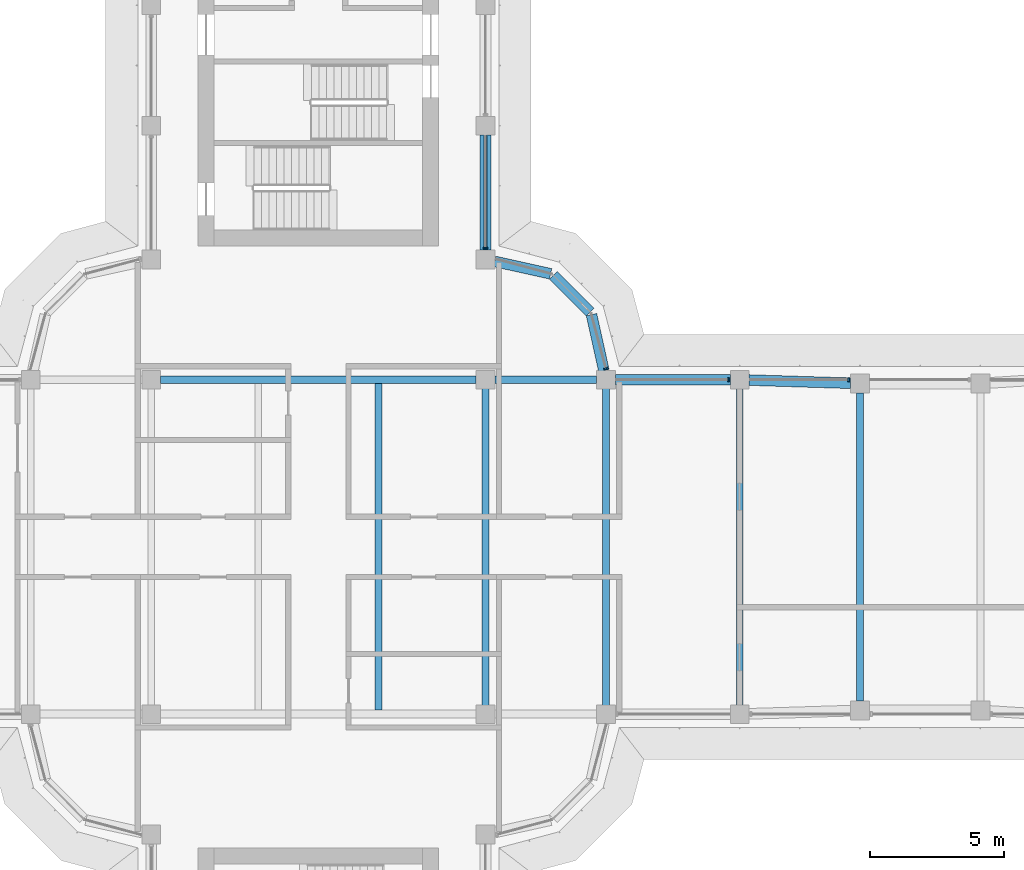
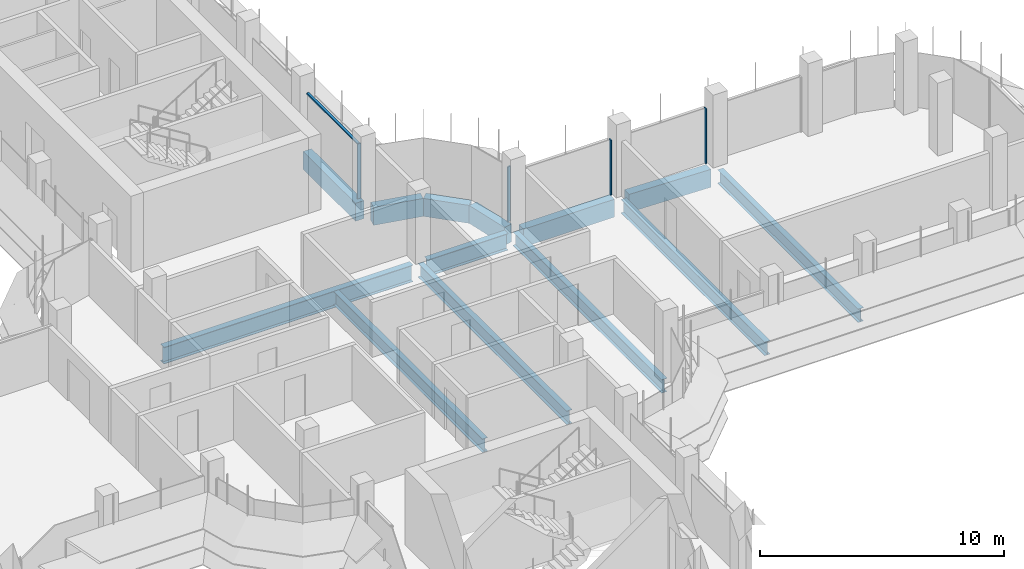
# One storey, part 8 of 19: 13 beams, 5 members, 3 elements without a shape of their own.
"""IFC4 building model written with IfcOpenShell, lengths in metres."""

from ifc_helpers import new_model, si_unit, direction, frame, origin, origin_2d, place, context, subcontext, project, spatial, polyline, rectangle, i_section, outline, extrude, source, transform, mapped, material, material_profile, profile_set, type_object, element, aggregate, save


model = new_model("IFC4")

# Units and contexts
model_context = context("Model", 3, precision=1e-05, world=origin(), true_north=direction((0.0, 1.0)))
body_context = subcontext(model_context, "Body", "Model", "MODEL_VIEW")
ifc_project = project(units=[si_unit("LENGTHUNIT", "METRE"), si_unit("AREAUNIT", "SQUARE_METRE"), si_unit("VOLUMEUNIT", "CUBIC_METRE"), si_unit("PLANEANGLEUNIT", "RADIAN"), si_unit("MASSUNIT", "GRAM", prefix="KILO")], contexts=[model_context])

# Site, building, storey
site_placement = place(None, origin())
site = spatial("IfcSite", under=ifc_project, at=site_placement, CompositionType="ELEMENT")
building_placement = place(site_placement, origin())
building = spatial("IfcBuilding", under=site, at=building_placement, Name="Zarbagh Exchange Tower", CompositionType="ELEMENT")
storey_placement = place(building_placement, frame((0.0, 0.0, 225.800048828125)))
storey = spatial("IfcBuildingStorey", under=building, at=storey_placement, Name="L55", CompositionType="ELEMENT", Elevation=225.800048828125)

# Beams
ifc_material_1 = material(Name="Steel ASTM A992 Gr 50", Category="steel")
ifc_material_profile_1 = material_profile(ifc_material_1, i_section(OverallWidth=0.25390625, OverallDepth=0.67822265625, WebThickness=0.01171875, FlangeThickness=0.016357421875, at=origin_2d()), Name="W27X84")
ifc_profile_set_1 = profile_set([ifc_material_profile_1], Name="Steel ASTM A992 Gr 50")
beam_type_1 = type_object("IfcBeamType", Name="Floor beam W27X84", PredefinedType="BEAM", material=ifc_profile_set_1)
for number, where, z_axis, x_axis, name in (
    (1, (2.25, -6.10400390625, -0.4892578125), (0.0, 1.0, 0.0), (-1.0, 0.0, 0.0), "Steel floor beam"),
    (2, (6.25, -6.10400390625, -0.4892578125), (0.0, 1.0, 0.0), (-1.0, 0.0, 0.0), "Steel floor beam"),
    (3, (10.75, -6.10400390625, -0.4892578125), (0.0, 1.0, 0.0), (-1.0, 0.0, 0.0), "Steel floor beam"),
):
    element("IfcBeam", number, at=place(storey_placement, frame(where, z_axis=z_axis, x_axis=x_axis)), inside=storey, type_object=beam_type_1, Name=name, PredefinedType="BEAM", context=body_context, shape_type="SweptSolid", body=[
        extrude(i_section(OverallWidth=0.25390625, OverallDepth=0.67822265625, WebThickness=0.01171875, FlangeThickness=0.016357421875, at=origin_2d()), origin(), (0.0, 0.0, 1.0), 12.2080078125),
    ])
beam_1_placement = place(storey_placement, frame((15.75, -5.89990234375, -0.4892578125), z_axis=(0.0, 1.0, 0.0), x_axis=(-1.0, 0.0, 0.0)))
element("IfcBeam", 4, at=beam_1_placement, inside=storey, type_object=beam_type_1, Name="Steel floor beam", PredefinedType="BEAM", context=body_context, shape_type="SweptSolid", body=[
    extrude(i_section(OverallWidth=0.25390625, OverallDepth=0.67822265625, WebThickness=0.01171875, FlangeThickness=0.016357421875, at=origin_2d()), origin(), (0.0, 0.0, 1.0), 11.7998046875),
])
beam_2_placement = place(storey_placement, frame((20.25, -5.760009765625, -0.4892578125), z_axis=(0.0, 1.0, 0.0), x_axis=(-1.0, 0.0, 0.0)))
element("IfcBeam", 5, at=beam_2_placement, inside=storey, type_object=beam_type_1, Name="Steel floor beam", PredefinedType="BEAM", context=body_context, shape_type="SweptSolid", body=[
    extrude(i_section(OverallWidth=0.25390625, OverallDepth=0.67822265625, WebThickness=0.01171875, FlangeThickness=0.016357421875, at=origin_2d()), origin(), (0.0, 0.0, 1.0), 11.52001953125),
])
ifc_material_profile_2 = material_profile(ifc_material_1, i_section(OverallWidth=0.2919921875, OverallDepth=0.835693359375, WebThickness=0.013916015625, FlangeThickness=0.018798828125, at=origin_2d()), Name="W33X118")
ifc_profile_set_2 = profile_set([ifc_material_profile_2], Name="Steel ASTM A992 Gr 50")
beam_type_2 = type_object("IfcBeamType", Name="Floor girder W33X118", PredefinedType="BEAM", material=ifc_profile_set_2)
beam_3_placement = place(storey_placement, frame((-5.89990234375, 6.25, -0.56787109375), z_axis=(1.0, 0.0, 0.0), x_axis=(0.0, 1.0, 0.0)))
element("IfcBeam", 6, at=beam_3_placement, inside=storey, type_object=beam_type_2, Name="Steel girder", PredefinedType="BEAM", context=body_context, shape_type="SweptSolid", body=[
    extrude(i_section(OverallWidth=0.2919921875, OverallDepth=0.835693359375, WebThickness=0.013916015625, FlangeThickness=0.018798828125, at=origin_2d()), origin(), (0.0, 0.0, 1.0), 11.7998046875),
])
beam_4_placement = place(storey_placement, frame((6.60009765625, 6.25, -0.56787109375), z_axis=(1.0, 0.0, 0.0), x_axis=(0.0, 1.0, 0.0)))
element("IfcBeam", 7, at=beam_4_placement, inside=storey, type_object=beam_type_2, Name="Steel girder", PredefinedType="BEAM", context=body_context, shape_type="SweptSolid", body=[
    extrude(i_section(OverallWidth=0.2919921875, OverallDepth=0.835693359375, WebThickness=0.013916015625, FlangeThickness=0.018798828125, at=origin_2d()), origin(), (0.0, 0.0, 1.0), 3.7998046875),
])
ifc_material_2 = material(Name="Concrete C50/60", Category="concrete")
ifc_material_profile_3 = material_profile(ifc_material_2, rectangle(XDim=0.39990234375, YDim=0.89990234375, at=origin_2d()), Name="RC spandrel beam 400 x 900 C50/60")
ifc_profile_set_3 = profile_set([ifc_material_profile_3], Name="Concrete C50/60")
beam_type_3 = type_object("IfcBeamType", Name="RC spandrel beam 400 x 900 C50/60", PredefinedType="SPANDREL", material=ifc_profile_set_3)
beam_5_placement = place(storey_placement, frame((6.25, 15.39990234375, -0.60009765625), z_axis=(0.0, -1.0, 0.0), x_axis=(1.0, 0.0, 0.0)))
element("IfcBeam", 8, at=beam_5_placement, inside=storey, type_object=beam_type_3, Name="RC spandrel beam", PredefinedType="SPANDREL", context=body_context, shape_type="SweptSolid", body=[
    extrude(rectangle(XDim=0.39990234375, YDim=0.89990234375, at=origin_2d()), origin(), (0.0, 0.0, 1.0), 4.2998046875),
])
beam_6_placement = place(storey_placement, frame((6.591796875, 10.67431640625, -0.60009765625), z_axis=(0.97639036545, -0.216013551096, 0.0), x_axis=(0.216013551096, 0.97639036545, 0.0)))
element("IfcBeam", 9, at=beam_6_placement, inside=storey, type_object=beam_type_3, Name="RC spandrel beam", PredefinedType="SPANDREL", context=body_context, shape_type="SweptSolid", body=[
    extrude(rectangle(XDim=0.39990234375, YDim=0.89990234375, at=origin_2d()), origin(), (0.0, 0.0, 1.0), 2.142822265625),
])
beam_7_placement = place(storey_placement, frame((8.782470703125, 10.15771484375, -0.60009765625), z_axis=(0.707106781187, -0.707106781187, 0.0), x_axis=(0.707106781187, 0.707106781187, 0.0)))
element("IfcBeam", 10, at=beam_7_placement, inside=storey, type_object=beam_type_3, Name="RC spandrel beam", PredefinedType="SPANDREL", context=body_context, shape_type="SweptSolid", body=[
    extrude(rectangle(XDim=0.39990234375, YDim=0.89990234375, at=origin_2d()), origin(), (0.0, 0.0, 1.0), 1.94482421875),
])
beam_8_placement = place(storey_placement, frame((10.21142578125, 8.68408203125, -0.60009765625), z_axis=(0.216013551096, -0.97639036545, 0.0), x_axis=(0.97639036545, 0.216013551096, 0.0)))
element("IfcBeam", 11, at=beam_8_placement, inside=storey, type_object=beam_type_3, Name="RC spandrel beam", PredefinedType="SPANDREL", context=body_context, shape_type="SweptSolid", body=[
    extrude(rectangle(XDim=0.39990234375, YDim=0.89990234375, at=origin_2d()), origin(), (0.0, 0.0, 1.0), 2.142822265625),
])
beam_9_placement = place(storey_placement, frame((11.10009765625, 6.25, -0.60009765625), z_axis=(1.0, 0.0, 0.0), x_axis=(0.0, 1.0, 0.0)))
element("IfcBeam", 12, at=beam_9_placement, inside=storey, type_object=beam_type_3, Name="RC spandrel beam", PredefinedType="SPANDREL", context=body_context, shape_type="SweptSolid", body=[
    extrude(rectangle(XDim=0.39990234375, YDim=0.89990234375, at=origin_2d()), origin(), (0.0, 0.0, 1.0), 4.2998046875),
])
beam_10_placement = place(storey_placement, frame((16.099853515625, 6.239013671875, -0.60009765625), z_axis=(0.999516950199, -0.031078389046, 0.0), x_axis=(0.031078389046, 0.999516950199, 0.0)))
element("IfcBeam", 13, at=beam_10_placement, inside=storey, type_object=beam_type_3, Name="RC spandrel beam", PredefinedType="SPANDREL", context=body_context, shape_type="SweptSolid", body=[
    extrude(rectangle(XDim=0.39990234375, YDim=0.89990234375, at=origin_2d()), origin(), (0.0, 0.0, 1.0), 3.80224609375),
])

# Curtain wall, members
ifc_material_3 = material(Name="Anodised aluminium frame and glazing", Category="aluminium")
curtain_wall_type = type_object("IfcCurtainWallType", Name="CWB Ribbon glazing, upper zones", PredefinedType="NOTDEFINED", material=ifc_material_3)
curtain_wall_1_placement = place(storey_placement, origin())
curtain_wall_1 = element("IfcCurtainWall", 14, at=curtain_wall_1_placement, inside=storey, type_object=curtain_wall_type, Name="CWB16 curtain wall", PredefinedType="NOTDEFINED")
ifc_material_4 = material(Name="Anodised aluminium frame", Category="aluminium")
member_type_1 = type_object("IfcMemberType", Name="MUB Mullion, anodised aluminium frame", PredefinedType="MULLION", material=ifc_material_4)
shared_shape_1 = source(origin(), body_context, "Body", "SweptSolid", [
    extrude(outline(polyline([(0.0, -0.080078125), (0.06005859375, -0.080078125), (0.06005859375, 0.080078125), (0.0, 0.080078125), (0.0, -0.080078125)])), origin(), (0.0, 0.0, 1.0), 2.75),
])
placement = place(storey_placement, origin())
member_1 = element("IfcMember", 15, at=placement, type_object=member_type_1, Name="CWB16 mullion 3.1", PredefinedType="MULLION", context=body_context, shape_type="MappedRepresentation", body=[
    mapped(shared_shape_1, transform((19.85986328125, 6.25, 0.0), x_axis=(-1.0, 0.0, 0.0), y_axis=(0.0, -1.0, 0.0), z_axis=(0.0, 0.0, 1.0))),
])
member_2 = element("IfcMember", 16, at=placement, type_object=member_type_1, Name="CWB16 mullion 4.1", PredefinedType="MULLION", context=body_context, shape_type="MappedRepresentation", body=[
    mapped(shared_shape_1, transform((15.35986328125, 6.25, 0.0), x_axis=(-1.0, 0.0, 0.0), y_axis=(0.0, -1.0, 0.0), z_axis=(0.0, 0.0, 1.0))),
])
aggregate(curtain_wall_1, [member_1, member_2])

# Curtain wall, member
curtain_wall_2_placement = place(storey_placement, origin())
curtain_wall_2 = element("IfcCurtainWall", 17, at=curtain_wall_2_placement, inside=storey, type_object=curtain_wall_type, Name="CWB17 curtain wall", PredefinedType="NOTDEFINED")
member_3 = element("IfcMember", 18, at=placement, type_object=member_type_1, Name="CWB17 mullion 1.1", PredefinedType="MULLION", context=body_context, shape_type="MappedRepresentation", body=[
    mapped(shared_shape_1, transform((10.76171875, 6.64013671875, 0.0), x_axis=(-0.258824779902, 0.965924289636, 0.0), y_axis=(-0.965924289636, -0.258824779902, 0.0), z_axis=(0.0, 0.0, 1.0))),
])
aggregate(curtain_wall_2, [member_3])

# Curtain wall, members
curtain_wall_3_placement = place(storey_placement, origin())
curtain_wall_3 = element("IfcCurtainWall", 19, at=curtain_wall_3_placement, inside=storey, type_object=curtain_wall_type, Name="CWB67 curtain wall", PredefinedType="NOTDEFINED")
member_4 = element("IfcMember", 20, at=placement, type_object=member_type_1, Name="CWB67 mullion 1.1", PredefinedType="MULLION", context=body_context, shape_type="MappedRepresentation", body=[
    mapped(shared_shape_1, transform((6.25, 11.14013671875, 0.0), x_axis=(0.0, 1.0, 0.0), y_axis=(-1.0, 0.0, 0.0), z_axis=(0.0, 0.0, 1.0))),
])
member_type_2 = type_object("IfcMemberType", Name="TRB Transom, anodised aluminium frame", PredefinedType="USERDEFINED", material=ifc_material_4)
shared_shape_2 = source(origin(), body_context, "Body", "SweptSolid", [
    extrude(outline(polyline([(-0.06005859375, -0.06005859375), (0.0, -0.06005859375), (0.0, 0.06005859375), (-0.06005859375, 0.06005859375), (-0.06005859375, -0.06005859375)])), origin(), (0.0, 0.0, 1.0), 4.159912109375),
])
member_5 = element("IfcMember", 21, at=placement, type_object=member_type_2, Name="CWB67 transom 1.1", ObjectType="TRANSOM", PredefinedType="USERDEFINED", context=body_context, shape_type="MappedRepresentation", body=[
    mapped(shared_shape_2, transform((6.25, 11.199951171875, 2.75), x_axis=(0.0, 0.0, 1.0), y_axis=(1.0, 0.0, 0.0), z_axis=(0.0, 1.0, 0.0))),
])
aggregate(curtain_wall_3, [member_4, member_5])

save(model, "model.ifc")
